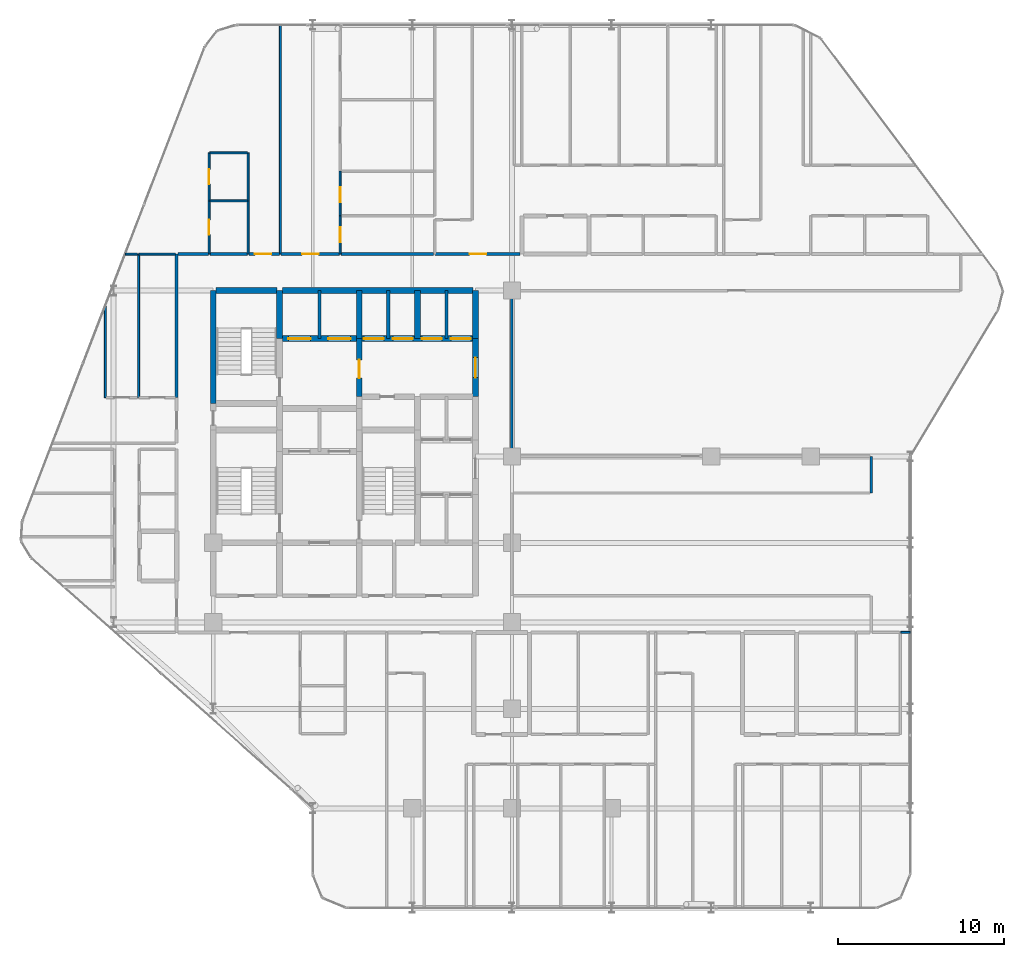
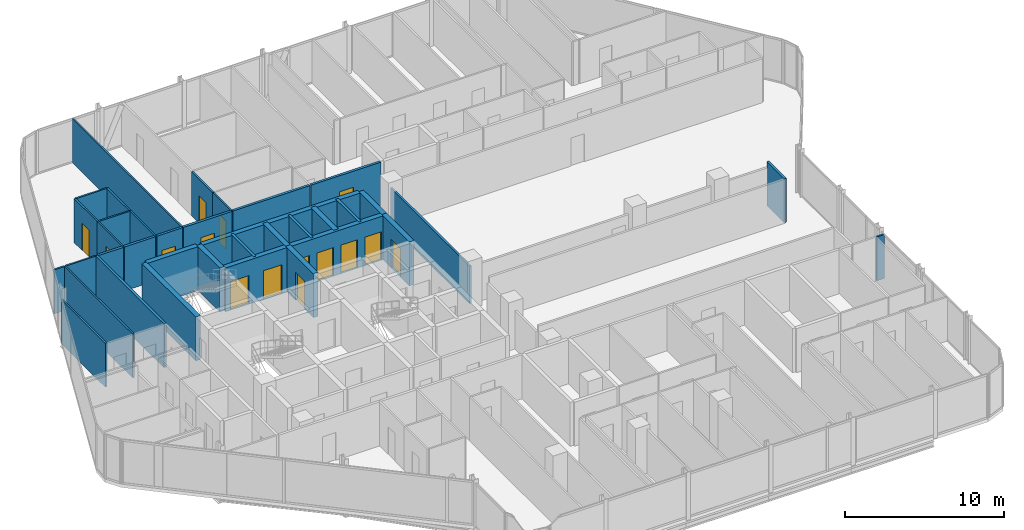
# One storey, part 26 of 29: 36 walls, 15 doors, 15 openings.
"""IFC4 building model written with IfcOpenShell, lengths in metres."""

from ifc_helpers import new_model, si_unit, direction, frame, frame_2d, origin, place, context, subcontext, project, spatial, rectangle, extrude, material, layer, layer_set, type_object, element, fill, save


model = new_model("IFC4")

# Units and contexts
model_context = context("Model", 3, precision=1e-05, world=origin(), true_north=direction((0.0, 1.0)))
body_context = subcontext(model_context, "Body", "Model", "MODEL_VIEW")
ifc_project = project(units=[si_unit("LENGTHUNIT", "METRE"), si_unit("AREAUNIT", "SQUARE_METRE"), si_unit("VOLUMEUNIT", "CUBIC_METRE"), si_unit("PLANEANGLEUNIT", "RADIAN"), si_unit("MASSUNIT", "GRAM", prefix="KILO")], contexts=[model_context])

# Site, building, storey
site_placement = place(None, origin())
site = spatial("IfcSite", under=ifc_project, at=site_placement, CompositionType="ELEMENT")
building_placement = place(site_placement, origin())
building = spatial("IfcBuilding", under=site, at=building_placement, Name="Keshet Zoharim Tower", CompositionType="ELEMENT")
storey_placement = place(building_placement, frame((0.0, 0.0, 98.300048828125)))
storey = spatial("IfcBuildingStorey", under=building, at=storey_placement, Name="L23", CompositionType="ELEMENT", Elevation=98.300048828125)

# Walls
ifc_material_1 = material(Name="Gypsum Plasterboard", Category="gypsum")
ifc_layer_1 = layer(ifc_material_1, 0.14990234375)
ifc_layer_set_1 = layer_set([ifc_layer_1], Name="Gypsum Plasterboard")
wall_type_1 = type_object("IfcWallType", Name="WL-CLIN-150", PredefinedType="STANDARD", material=ifc_layer_set_1)
wall_1_placement = place(storey_placement, frame((33.0, 27.909912109375, 0.0), z_axis=(0.0, 0.0, 1.0), x_axis=(0.0, 1.0, 0.0)))
element("IfcWall", 1, at=wall_1_placement, inside=storey, type_object=wall_type_1, Name="L23 Interior Wall 070", PredefinedType="STANDARD", context=body_context, shape_type="SweptSolid", body=[
    extrude(rectangle(XDim=9.97998046875, YDim=0.14990234375, at=frame_2d((4.989990234375, 0.0))), origin(), (0.0, 0.0, 1.0), 2.885009765625),
])
wall_2_placement = place(storey_placement, frame((54.64990234375, 25.699951171875, 0.0), z_axis=(0.0, 0.0, 1.0), x_axis=(0.0, 1.0, 0.0)))
element("IfcWall", 2, at=wall_2_placement, inside=storey, type_object=wall_type_1, Name="L23 Interior Wall 109", PredefinedType="STANDARD", context=body_context, shape_type="SweptSolid", body=[
    extrude(rectangle(XDim=2.199951171875, YDim=0.14990234375, at=frame_2d((1.10009765625, 0.0))), origin(), (0.0, 0.0, 1.0), 3.385009765625),
])
ifc_material_2 = material(Name="Concrete C60/75", Category="concrete")
ifc_layer_2 = layer(ifc_material_2, 0.35009765625)
ifc_layer_set_2 = layer_set([ifc_layer_2], Name="Concrete C60/75")
wall_type_2 = type_object("IfcWallType", Name="WL-CORE-350", PredefinedType="SHEAR", material=ifc_layer_set_2)
wall_3_placement = place(storey_placement, frame((15.0, 31.10009765625, 0.0), z_axis=(0.0, 0.0, 1.0), x_axis=(0.0, 1.0, 0.0)))
element("IfcWall", 3, at=wall_3_placement, inside=storey, type_object=wall_type_2, Name="L23 Core Shear Wall 018", PredefinedType="SHEAR", context=body_context, shape_type="SweptSolid", body=[
    extrude(rectangle(XDim=6.7998046875, YDim=0.35009765625, at=frame_2d((3.39990234375, 0.0))), origin(), (0.0, 0.0, 1.0), 3.385009765625),
])
wall_4_placement = place(storey_placement, frame((19.0, 35.0, 0.0), z_axis=(0.0, 0.0, 1.0), x_axis=(0.0, 1.0, 0.0)))
element("IfcWall", 4, at=wall_4_placement, inside=storey, type_object=wall_type_2, Name="L23 Core Shear Wall 025", PredefinedType="SHEAR", context=body_context, shape_type="SweptSolid", body=[
    extrude(rectangle(XDim=2.89990234375, YDim=0.35009765625, at=frame_2d((1.449951171875, 0.0))), origin(), (0.0, 0.0, 1.0), 3.385009765625),
])

# Wall, opening, door
wall_5_placement = place(storey_placement, frame((23.800048828125, 31.5, 0.0), z_axis=(0.0, 0.0, 1.0), x_axis=(0.0, 1.0, 0.0)))
wall_5 = element("IfcWall", 5, at=wall_5_placement, inside=storey, type_object=wall_type_2, Name="L23 Core Shear Wall 041", PredefinedType="SHEAR", context=body_context, shape_type="SweptSolid", body=[
    extrude(rectangle(XDim=3.5, YDim=0.35009765625, at=frame_2d((1.75, 0.0))), origin(), (0.0, 0.0, 1.0), 3.385009765625),
])
opening_1_placement = place(wall_5_placement, frame((1.126953125, 0.0, 0.0)))
opening_1 = element("IfcOpeningElement", 6, at=opening_1_placement, cuts=wall_5, Name="Opening D-F611", PredefinedType="OPENING", context=body_context, shape_type="SweptSolid", body=[
    extrude(rectangle(XDim=1.10009765625, YDim=2.14990234375, at=frame_2d((0.550048828125, 1.074951171875))), frame((0.0, 0.18505859375, 0.0), z_axis=(0.0, -1.0, 0.0), x_axis=(1.0, 0.0, 0.0)), (0.0, 0.0, 1.0), 0.3701171875),
])
ifc_material_3 = material(Name="Hardwood Timber", Category="wood")
door_type_1 = type_object("IfcDoorType", Name="DR-FD60-110", OperationType="NOTDEFINED", PredefinedType="DOOR", material=ifc_material_3)
door_1_placement = place(opening_1_placement, origin())
door_1 = element("IfcDoor", 7, at=door_1_placement, inside=storey, type_object=door_type_1, Name="L23 Firefighting Lobby Fire Door", OperationType="SINGLE_SWING_LEFT", OverallHeight=2.14990234375, OverallWidth=1.10009765625, PredefinedType="DOOR", context=body_context, shape_type="SweptSolid", body=[
    extrude(rectangle(XDim=1.10009765625, YDim=2.14990234375, at=frame_2d((0.550048828125, 1.074951171875))), frame((0.0, 0.02490234375, 0.0), z_axis=(0.0, -1.0, 0.0), x_axis=(1.0, 0.0, 0.0)), (0.0, 0.0, 1.0), 0.050048828125),
])
fill(opening_1, door_1)

# Walls
for number, where, z_axis, x_axis, name in (
    (8, (23.800048828125, 35.0, 0.0), (0.0, 0.0, 1.0), (0.0, 1.0, 0.0), "L23 Core Shear Wall 042"),
    (9, (27.300048828125, 35.0, 0.0), (0.0, 0.0, 1.0), (0.0, 1.0, 0.0), "L23 Core Shear Wall 051"),
):
    element("IfcWall", number, at=place(storey_placement, frame(where, z_axis=z_axis, x_axis=x_axis)), inside=storey, type_object=wall_type_2, Name=name, PredefinedType="SHEAR", context=body_context, shape_type="SweptSolid", body=[
        extrude(rectangle(XDim=2.89990234375, YDim=0.35009765625, at=frame_2d((1.449951171875, 0.0))), origin(), (0.0, 0.0, 1.0), 3.385009765625),
    ])

# Wall, opening, door
wall_6_placement = place(storey_placement, frame((30.800048828125, 31.5, 0.0), z_axis=(0.0, 0.0, 1.0), x_axis=(0.0, 1.0, 0.0)))
wall_6 = element("IfcWall", 10, at=wall_6_placement, inside=storey, type_object=wall_type_2, Name="L23 Core Shear Wall 067", PredefinedType="SHEAR", context=body_context, shape_type="SweptSolid", body=[
    extrude(rectangle(XDim=3.5, YDim=0.35009765625, at=frame_2d((1.75, 0.0))), origin(), (0.0, 0.0, 1.0), 3.385009765625),
])
opening_2_placement = place(wall_6_placement, frame((1.14990234375, 0.0, 0.0)))
opening_2 = element("IfcOpeningElement", 11, at=opening_2_placement, cuts=wall_6, Name="Opening D-F612", PredefinedType="OPENING", context=body_context, shape_type="SweptSolid", body=[
    extrude(rectangle(XDim=1.199951171875, YDim=2.199951171875, at=frame_2d((0.60009765625, 1.10009765625))), frame((0.0, 0.18505859375, 0.0), z_axis=(0.0, -1.0, 0.0), x_axis=(1.0, 0.0, 0.0)), (0.0, 0.0, 1.0), 0.3701171875),
])
door_type_2 = type_object("IfcDoorType", Name="DR-FD60-120", OperationType="NOTDEFINED", PredefinedType="DOOR", material=ifc_material_3)
door_2_placement = place(opening_2_placement, origin())
door_2 = element("IfcDoor", 12, at=door_2_placement, inside=storey, type_object=door_type_2, Name="L23 North Lift Lobby East Fire Door", OperationType="SINGLE_SWING_LEFT", OverallHeight=2.199951171875, OverallWidth=1.199951171875, PredefinedType="DOOR", context=body_context, shape_type="SweptSolid", body=[
    extrude(rectangle(XDim=1.199951171875, YDim=2.199951171875, at=frame_2d((0.60009765625, 1.10009765625))), frame((0.0, 0.02490234375, 0.0), z_axis=(0.0, -1.0, 0.0), x_axis=(1.0, 0.0, 0.0)), (0.0, 0.0, 1.0), 0.050048828125),
])
fill(opening_2, door_2)

# Wall
wall_7_placement = place(storey_placement, frame((30.800048828125, 35.0, 0.0), z_axis=(0.0, 0.0, 1.0), x_axis=(0.0, 1.0, 0.0)))
element("IfcWall", 13, at=wall_7_placement, inside=storey, type_object=wall_type_2, Name="L23 Core Shear Wall 068", PredefinedType="SHEAR", context=body_context, shape_type="SweptSolid", body=[
    extrude(rectangle(XDim=2.89990234375, YDim=0.35009765625, at=frame_2d((1.449951171875, 0.0))), origin(), (0.0, 0.0, 1.0), 3.385009765625),
])

# Wall, openings, doors
wall_8_placement = place(storey_placement, frame((19.159912109375, 35.0, 0.0), z_axis=(0.0, 0.0, 1.0), x_axis=(1.0, 0.0, 0.0)))
wall_8 = element("IfcWall", 14, at=wall_8_placement, inside=storey, type_object=wall_type_2, Name="L23 Core Shear Wall 176", PredefinedType="SHEAR", context=body_context, shape_type="SweptSolid", body=[
    extrude(rectangle(XDim=11.47998046875, YDim=0.35009765625, at=frame_2d((5.739990234375, 0.0))), origin(), (0.0, 0.0, 1.0), 3.385009765625),
])
opening_3_placement = place(wall_8_placement, frame((0.364990234375, 0.0, 0.0)))
opening_3 = element("IfcOpeningElement", 15, at=opening_3_placement, cuts=wall_8, Name="Opening LD-02", PredefinedType="OPENING", context=body_context, shape_type="SweptSolid", body=[
    extrude(rectangle(XDim=1.35009765625, YDim=2.199951171875, at=frame_2d((0.675048828125, 1.10009765625))), frame((0.0, 0.18505859375, 0.0), z_axis=(0.0, -1.0, 0.0), x_axis=(1.0, 0.0, 0.0)), (0.0, 0.0, 1.0), 0.3701171875),
])
opening_4_placement = place(wall_8_placement, frame((2.764892578125, 0.0, 0.0)))
opening_4 = element("IfcOpeningElement", 16, at=opening_4_placement, cuts=wall_8, Name="Opening LD-02", PredefinedType="OPENING", context=body_context, shape_type="SweptSolid", body=[
    extrude(rectangle(XDim=1.35009765625, YDim=2.199951171875, at=frame_2d((0.675048828125, 1.10009765625))), frame((0.0, 0.18505859375, 0.0), z_axis=(0.0, -1.0, 0.0), x_axis=(1.0, 0.0, 0.0)), (0.0, 0.0, 1.0), 0.3701171875),
])
opening_5_placement = place(wall_8_placement, frame((4.9150390625, 0.0, 0.0)))
opening_5 = element("IfcOpeningElement", 17, at=opening_5_placement, cuts=wall_8, Name="Opening LD-03", PredefinedType="OPENING", context=body_context, shape_type="SweptSolid", body=[
    extrude(rectangle(XDim=1.199951171875, YDim=2.199951171875, at=frame_2d((0.60009765625, 1.10009765625))), frame((0.0, 0.18505859375, 0.0), z_axis=(0.0, -1.0, 0.0), x_axis=(1.0, 0.0, 0.0)), (0.0, 0.0, 1.0), 0.3701171875),
])
opening_6_placement = place(wall_8_placement, frame((6.6650390625, 0.0, 0.0)))
opening_6 = element("IfcOpeningElement", 18, at=opening_6_placement, cuts=wall_8, Name="Opening LD-03", PredefinedType="OPENING", context=body_context, shape_type="SweptSolid", body=[
    extrude(rectangle(XDim=1.199951171875, YDim=2.199951171875, at=frame_2d((0.60009765625, 1.10009765625))), frame((0.0, 0.18505859375, 0.0), z_axis=(0.0, -1.0, 0.0), x_axis=(1.0, 0.0, 0.0)), (0.0, 0.0, 1.0), 0.3701171875),
])
opening_7_placement = place(wall_8_placement, frame((8.4150390625, 0.0, 0.0)))
opening_7 = element("IfcOpeningElement", 19, at=opening_7_placement, cuts=wall_8, Name="Opening LD-03", PredefinedType="OPENING", context=body_context, shape_type="SweptSolid", body=[
    extrude(rectangle(XDim=1.199951171875, YDim=2.199951171875, at=frame_2d((0.60009765625, 1.10009765625))), frame((0.0, 0.18505859375, 0.0), z_axis=(0.0, -1.0, 0.0), x_axis=(1.0, 0.0, 0.0)), (0.0, 0.0, 1.0), 0.3701171875),
])
opening_8_placement = place(wall_8_placement, frame((10.159912109375, 0.0, 0.0)))
opening_8 = element("IfcOpeningElement", 20, at=opening_8_placement, cuts=wall_8, Name="Opening LD-03", PredefinedType="OPENING", context=body_context, shape_type="SweptSolid", body=[
    extrude(rectangle(XDim=1.199951171875, YDim=2.199951171875, at=frame_2d((0.60009765625, 1.10009765625))), frame((0.0, 0.18505859375, 0.0), z_axis=(0.0, -1.0, 0.0), x_axis=(1.0, 0.0, 0.0)), (0.0, 0.0, 1.0), 0.3701171875),
])
ifc_material_4 = material(Name="Steel S355", Category="steel")
door_type_3 = type_object("IfcDoorType", Name="DR-LD02-135", OperationType="DOUBLE_DOOR_SLIDING", PredefinedType="DOOR", material=ifc_material_4)
door_3_placement = place(opening_3_placement, origin())
door_3 = element("IfcDoor", 21, at=door_3_placement, inside=storey, type_object=door_type_3, Name="L23 Firefighting Lift Landing Door FF-01", OperationType="DOUBLE_DOOR_SLIDING", OverallHeight=2.199951171875, OverallWidth=1.35009765625, PredefinedType="DOOR", context=body_context, shape_type="SweptSolid", body=[
    extrude(rectangle(XDim=1.35009765625, YDim=2.199951171875, at=frame_2d((0.675048828125, 1.10009765625))), frame((0.0, 0.02490234375, 0.0), z_axis=(0.0, -1.0, 0.0), x_axis=(1.0, 0.0, 0.0)), (0.0, 0.0, 1.0), 0.050048828125),
])
fill(opening_3, door_3)
door_4_placement = place(opening_4_placement, origin())
door_4 = element("IfcDoor", 22, at=door_4_placement, inside=storey, type_object=door_type_3, Name="L23 Firefighting Lift Landing Door FF-02", OperationType="DOUBLE_DOOR_SLIDING", OverallHeight=2.199951171875, OverallWidth=1.35009765625, PredefinedType="DOOR", context=body_context, shape_type="SweptSolid", body=[
    extrude(rectangle(XDim=1.35009765625, YDim=2.199951171875, at=frame_2d((0.675048828125, 1.10009765625))), frame((0.0, 0.02490234375, 0.0), z_axis=(0.0, -1.0, 0.0), x_axis=(1.0, 0.0, 0.0)), (0.0, 0.0, 1.0), 0.050048828125),
])
fill(opening_4, door_4)
door_type_4 = type_object("IfcDoorType", Name="DR-LD03-120", OperationType="DOUBLE_DOOR_SLIDING", PredefinedType="DOOR", material=ifc_material_4)
door_5_placement = place(opening_5_placement, origin())
door_5 = element("IfcDoor", 23, at=door_5_placement, inside=storey, type_object=door_type_4, Name="L23 Passenger Lift Landing Door LF-01", OperationType="DOUBLE_DOOR_SLIDING", OverallHeight=2.199951171875, OverallWidth=1.199951171875, PredefinedType="DOOR", context=body_context, shape_type="SweptSolid", body=[
    extrude(rectangle(XDim=1.199951171875, YDim=2.199951171875, at=frame_2d((0.60009765625, 1.10009765625))), frame((0.0, 0.02490234375, 0.0), z_axis=(0.0, -1.0, 0.0), x_axis=(1.0, 0.0, 0.0)), (0.0, 0.0, 1.0), 0.050048828125),
])
fill(opening_5, door_5)
door_6_placement = place(opening_6_placement, origin())
door_6 = element("IfcDoor", 24, at=door_6_placement, inside=storey, type_object=door_type_4, Name="L23 Passenger Lift Landing Door LF-02", OperationType="DOUBLE_DOOR_SLIDING", OverallHeight=2.199951171875, OverallWidth=1.199951171875, PredefinedType="DOOR", context=body_context, shape_type="SweptSolid", body=[
    extrude(rectangle(XDim=1.199951171875, YDim=2.199951171875, at=frame_2d((0.60009765625, 1.10009765625))), frame((0.0, 0.02490234375, 0.0), z_axis=(0.0, -1.0, 0.0), x_axis=(1.0, 0.0, 0.0)), (0.0, 0.0, 1.0), 0.050048828125),
])
fill(opening_6, door_6)
door_7_placement = place(opening_7_placement, origin())
door_7 = element("IfcDoor", 25, at=door_7_placement, inside=storey, type_object=door_type_4, Name="L23 Passenger Lift Landing Door LF-03", OperationType="DOUBLE_DOOR_SLIDING", OverallHeight=2.199951171875, OverallWidth=1.199951171875, PredefinedType="DOOR", context=body_context, shape_type="SweptSolid", body=[
    extrude(rectangle(XDim=1.199951171875, YDim=2.199951171875, at=frame_2d((0.60009765625, 1.10009765625))), frame((0.0, 0.02490234375, 0.0), z_axis=(0.0, -1.0, 0.0), x_axis=(1.0, 0.0, 0.0)), (0.0, 0.0, 1.0), 0.050048828125),
])
fill(opening_7, door_7)
door_8_placement = place(opening_8_placement, origin())
door_8 = element("IfcDoor", 26, at=door_8_placement, inside=storey, type_object=door_type_4, Name="L23 Passenger Lift Landing Door LF-04", OperationType="DOUBLE_DOOR_SLIDING", OverallHeight=2.199951171875, OverallWidth=1.199951171875, PredefinedType="DOOR", context=body_context, shape_type="SweptSolid", body=[
    extrude(rectangle(XDim=1.199951171875, YDim=2.199951171875, at=frame_2d((0.60009765625, 1.10009765625))), frame((0.0, 0.02490234375, 0.0), z_axis=(0.0, -1.0, 0.0), x_axis=(1.0, 0.0, 0.0)), (0.0, 0.0, 1.0), 0.050048828125),
])
fill(opening_8, door_8)

# Walls
wall_9_placement = place(storey_placement, frame((15.159912109375, 37.89990234375, 0.0), z_axis=(0.0, 0.0, 1.0), x_axis=(1.0, 0.0, 0.0)))
element("IfcWall", 27, at=wall_9_placement, inside=storey, type_object=wall_type_2, Name="L23 Core Shear Wall 177", PredefinedType="SHEAR", context=body_context, shape_type="SweptSolid", body=[
    extrude(rectangle(XDim=3.68017578125, YDim=0.35009765625, at=frame_2d((1.840087890625, 0.0))), origin(), (0.0, 0.0, 1.0), 3.385009765625),
])
wall_10_placement = place(storey_placement, frame((19.159912109375, 37.89990234375, 0.0), z_axis=(0.0, 0.0, 1.0), x_axis=(1.0, 0.0, 0.0)))
element("IfcWall", 28, at=wall_10_placement, inside=storey, type_object=wall_type_2, Name="L23 Core Shear Wall 178", PredefinedType="SHEAR", context=body_context, shape_type="SweptSolid", body=[
    extrude(rectangle(XDim=11.47998046875, YDim=0.35009765625, at=frame_2d((5.739990234375, 0.0))), origin(), (0.0, 0.0, 1.0), 3.385009765625),
])
ifc_layer_3 = layer(ifc_material_1, 0.179931640625)
ifc_layer_set_3 = layer_set([ifc_layer_3], Name="Gypsum Plasterboard")
wall_type_3 = type_object("IfcWallType", Name="WL-CORR-180", PredefinedType="STANDARD", material=ifc_layer_set_3)
wall_11_placement = place(storey_placement, frame((12.800048828125, 31.449951171875, 0.0), z_axis=(0.0, 0.0, 1.0), x_axis=(0.0, 1.0, 0.0)))
element("IfcWall", 29, at=wall_11_placement, inside=storey, type_object=wall_type_3, Name="L23 Interior Wall 012", PredefinedType="STANDARD", context=body_context, shape_type="SweptSolid", body=[
    extrude(rectangle(XDim=8.650146484375, YDim=0.179931640625, at=frame_2d((4.3251953125, 0.0))), origin(), (0.0, 0.0, 1.0), 3.385009765625),
])
wall_12_placement = place(storey_placement, frame((12.875, 40.10009765625, 0.0), z_axis=(0.0, 0.0, 1.0), x_axis=(1.0, 0.0, 0.0)))
element("IfcWall", 30, at=wall_12_placement, inside=storey, type_object=wall_type_3, Name="L23 Interior Wall 182", PredefinedType="STANDARD", context=body_context, shape_type="SweptSolid", body=[
    extrude(rectangle(XDim=1.830078125, YDim=0.179931640625, at=frame_2d((0.9150390625, 0.0))), origin(), (0.0, 0.0, 1.0), 3.385009765625),
])
wall_13_placement = place(storey_placement, frame((14.794921875, 40.10009765625, 0.0), z_axis=(0.0, 0.0, 1.0), x_axis=(1.0, 0.0, 0.0)))
element("IfcWall", 31, at=wall_13_placement, inside=storey, type_object=wall_type_3, Name="L23 Interior Wall 183", PredefinedType="STANDARD", context=body_context, shape_type="SweptSolid", body=[
    extrude(rectangle(XDim=2.260009765625, YDim=0.179931640625, at=frame_2d((1.1298828125, 0.0))), origin(), (0.0, 0.0, 1.0), 3.385009765625),
])

# Wall, opening, door
wall_14_placement = place(storey_placement, frame((17.14501953125, 40.10009765625, 0.0), z_axis=(0.0, 0.0, 1.0), x_axis=(1.0, 0.0, 0.0)))
wall_14 = element("IfcWall", 32, at=wall_14_placement, inside=storey, type_object=wall_type_3, Name="L23 Interior Wall 184", PredefinedType="STANDARD", context=body_context, shape_type="SweptSolid", body=[
    extrude(rectangle(XDim=1.85986328125, YDim=0.179931640625, at=frame_2d((0.929931640625, 0.0))), origin(), (0.0, 0.0, 1.0), 3.385009765625),
])
opening_9_placement = place(wall_14_placement, frame((0.35693359375, 0.0, 0.0)))
opening_9 = element("IfcOpeningElement", 33, at=opening_9_placement, cuts=wall_14, Name="Opening D-F310", PredefinedType="OPENING", context=body_context, shape_type="SweptSolid", body=[
    extrude(rectangle(XDim=1.0, YDim=2.14990234375, at=frame_2d((0.5, 1.074951171875))), frame((0.0, 0.10009765625, 0.0), z_axis=(0.0, -1.0, 0.0), x_axis=(1.0, 0.0, 0.0)), (0.0, 0.0, 1.0), 0.199951171875),
])
door_type_5 = type_object("IfcDoorType", Name="DR-FD30-100", OperationType="NOTDEFINED", PredefinedType="DOOR", material=ifc_material_3)
door_9_placement = place(opening_9_placement, origin())
door_9 = element("IfcDoor", 34, at=door_9_placement, inside=storey, type_object=door_type_5, Name="Apartment 2304 Entrance Door", OperationType="SINGLE_SWING_LEFT", OverallHeight=2.14990234375, OverallWidth=1.0, PredefinedType="DOOR", context=body_context, shape_type="SweptSolid", body=[
    extrude(rectangle(XDim=1.0, YDim=2.14990234375, at=frame_2d((0.5, 1.074951171875))), frame((0.0, 0.02490234375, 0.0), z_axis=(0.0, -1.0, 0.0), x_axis=(1.0, 0.0, 0.0)), (0.0, 0.0, 1.0), 0.050048828125),
])
fill(opening_9, door_9)

wall_15_placement = place(storey_placement, frame((19.094970703125, 40.10009765625, 0.0), z_axis=(0.0, 0.0, 1.0), x_axis=(1.0, 0.0, 0.0)))
wall_15 = element("IfcWall", 35, at=wall_15_placement, inside=storey, type_object=wall_type_3, Name="L23 Interior Wall 185", PredefinedType="STANDARD", context=body_context, shape_type="SweptSolid", body=[
    extrude(rectangle(XDim=3.510009765625, YDim=0.179931640625, at=frame_2d((1.7548828125, 0.0))), origin(), (0.0, 0.0, 1.0), 3.385009765625),
])
opening_10_placement = place(wall_15_placement, frame((1.2548828125, 0.0, 0.0)))
opening_10 = element("IfcOpeningElement", 36, at=opening_10_placement, cuts=wall_15, Name="Opening D-F310", PredefinedType="OPENING", context=body_context, shape_type="SweptSolid", body=[
    extrude(rectangle(XDim=1.0, YDim=2.14990234375, at=frame_2d((0.5, 1.074951171875))), frame((0.0, 0.10009765625, 0.0), z_axis=(0.0, -1.0, 0.0), x_axis=(1.0, 0.0, 0.0)), (0.0, 0.0, 1.0), 0.199951171875),
])
door_10_placement = place(opening_10_placement, origin())
door_10 = element("IfcDoor", 37, at=door_10_placement, inside=storey, type_object=door_type_5, Name="Apartment 2305 Entrance Door", OperationType="SINGLE_SWING_RIGHT", OverallHeight=2.14990234375, OverallWidth=1.0, PredefinedType="DOOR", context=body_context, shape_type="SweptSolid", body=[
    extrude(rectangle(XDim=1.0, YDim=2.14990234375, at=frame_2d((0.5, 1.074951171875))), frame((0.0, 0.02490234375, 0.0), z_axis=(0.0, -1.0, 0.0), x_axis=(1.0, 0.0, 0.0)), (0.0, 0.0, 1.0), 0.050048828125),
])
fill(opening_10, door_10)

# Wall
wall_16_placement = place(storey_placement, frame((22.695068359375, 40.10009765625, 0.0), z_axis=(0.0, 0.0, 1.0), x_axis=(1.0, 0.0, 0.0)))
element("IfcWall", 38, at=wall_16_placement, inside=storey, type_object=wall_type_3, Name="L23 Interior Wall 186", PredefinedType="STANDARD", context=body_context, shape_type="SweptSolid", body=[
    extrude(rectangle(XDim=5.58984375, YDim=0.179931640625, at=frame_2d((2.794921875, 0.0))), origin(), (0.0, 0.0, 1.0), 3.385009765625),
])

# Wall, opening, door
wall_17_placement = place(storey_placement, frame((28.375, 40.10009765625, 0.0), z_axis=(0.0, 0.0, 1.0), x_axis=(1.0, 0.0, 0.0)))
wall_17 = element("IfcWall", 39, at=wall_17_placement, inside=storey, type_object=wall_type_3, Name="L23 Interior Wall 187", PredefinedType="STANDARD", context=body_context, shape_type="SweptSolid", body=[
    extrude(rectangle(XDim=5.094970703125, YDim=0.179931640625, at=frame_2d((2.54736328125, 0.0))), origin(), (0.0, 0.0, 1.0), 3.385009765625),
])
opening_11_placement = place(wall_17_placement, frame((2.080078125, 0.0, 0.0)))
opening_11 = element("IfcOpeningElement", 40, at=opening_11_placement, cuts=wall_17, Name="Opening D-F310", PredefinedType="OPENING", context=body_context, shape_type="SweptSolid", body=[
    extrude(rectangle(XDim=1.0, YDim=2.14990234375, at=frame_2d((0.5, 1.074951171875))), frame((0.0, 0.10009765625, 0.0), z_axis=(0.0, -1.0, 0.0), x_axis=(1.0, 0.0, 0.0)), (0.0, 0.0, 1.0), 0.199951171875),
])
door_11_placement = place(opening_11_placement, origin())
door_11 = element("IfcDoor", 41, at=door_11_placement, inside=storey, type_object=door_type_5, Name="Apartment 2306 Entrance Door", OperationType="SINGLE_SWING_LEFT", OverallHeight=2.14990234375, OverallWidth=1.0, PredefinedType="DOOR", context=body_context, shape_type="SweptSolid", body=[
    extrude(rectangle(XDim=1.0, YDim=2.14990234375, at=frame_2d((0.5, 1.074951171875))), frame((0.0, 0.02490234375, 0.0), z_axis=(0.0, -1.0, 0.0), x_axis=(1.0, 0.0, 0.0)), (0.0, 0.0, 1.0), 0.050048828125),
])
fill(opening_11, door_11)

# Walls
ifc_material_5 = material(Name="Concrete C50/60", Category="concrete")
ifc_layer_4 = layer(ifc_material_5, 0.199951171875)
ifc_layer_set_4 = layer_set([ifc_layer_4], Name="Concrete C50/60")
wall_type_4 = type_object("IfcWallType", Name="WL-FIRE-200", PredefinedType="STANDARD", material=ifc_layer_set_4)
for number, where, z_axis, x_axis, name in (
    (42, (21.39990234375, 35.0, 0.0), (0.0, 0.0, 1.0), (0.0, 1.0, 0.0), "L23 Interior Wall 030"),
    (43, (25.550048828125, 35.0, 0.0), (0.0, 0.0, 1.0), (0.0, 1.0, 0.0), "L23 Interior Wall 045"),
    (44, (29.050048828125, 35.0, 0.0), (0.0, 0.0, 1.0), (0.0, 1.0, 0.0), "L23 Interior Wall 058"),
):
    element("IfcWall", number, at=place(storey_placement, frame(where, z_axis=z_axis, x_axis=x_axis)), inside=storey, type_object=wall_type_4, Name=name, PredefinedType="STANDARD", context=body_context, shape_type="SweptSolid", body=[
        extrude(rectangle(XDim=2.89990234375, YDim=0.199951171875, at=frame_2d((1.449951171875, 0.0))), origin(), (0.0, 0.0, 1.0), 3.385009765625),
    ])
ifc_layer_5 = layer(ifc_material_1, 0.1201171875)
ifc_layer_set_5 = layer_set([ifc_layer_5], Name="Gypsum Plasterboard")
wall_type_5 = type_object("IfcWallType", Name="WL-PART-120", PredefinedType="PARTITIONING", material=ifc_layer_set_5)
wall_18_placement = place(storey_placement, frame((8.5, 31.449951171875, 0.0), z_axis=(0.0, 0.0, 1.0), x_axis=(0.0, 1.0, 0.0)))
element("IfcWall", 45, at=wall_18_placement, inside=storey, type_object=wall_type_5, Name="L23 Interior Wall 001", PredefinedType="PARTITIONING", context=body_context, shape_type="SweptSolid", body=[
    extrude(rectangle(XDim=5.5400390625, YDim=0.1201171875, at=frame_2d((2.77001953125, 0.0))), origin(), (0.0, 0.0, 1.0), 3.385009765625),
])

# Wall, opening, door
wall_19_placement = place(storey_placement, frame((14.75, 40.10009765625, 0.0), z_axis=(0.0, 0.0, 1.0), x_axis=(0.0, 1.0, 0.0)))
wall_19 = element("IfcWall", 46, at=wall_19_placement, inside=storey, type_object=wall_type_5, Name="L23 Interior Wall 013", PredefinedType="PARTITIONING", context=body_context, shape_type="SweptSolid", body=[
    extrude(rectangle(XDim=3.199951171875, YDim=0.1201171875, at=frame_2d((1.60009765625, 0.0))), origin(), (0.0, 0.0, 1.0), 3.385009765625),
])
opening_12_placement = place(wall_19_placement, frame((1.14990234375, 0.0, 0.0)))
opening_12 = element("IfcOpeningElement", 47, at=opening_12_placement, cuts=wall_19, Name="Opening D-IN90", PredefinedType="OPENING", context=body_context, shape_type="SweptSolid", body=[
    extrude(rectangle(XDim=0.89990234375, YDim=2.14990234375, at=frame_2d((0.449951171875, 1.074951171875))), frame((0.0, 0.070068359375, 0.0), z_axis=(0.0, -1.0, 0.0), x_axis=(1.0, 0.0, 0.0)), (0.0, 0.0, 1.0), 0.14013671875),
])
door_type_6 = type_object("IfcDoorType", Name="DR-INT-090", OperationType="NOTDEFINED", PredefinedType="DOOR", material=ifc_material_3)
door_12_placement = place(opening_12_placement, origin())
door_12 = element("IfcDoor", 48, at=door_12_placement, inside=storey, type_object=door_type_6, Name="Apartment 2304 Kitchenette Door", OperationType="SINGLE_SWING_LEFT", OverallHeight=2.14990234375, OverallWidth=0.89990234375, PredefinedType="DOOR", context=body_context, shape_type="SweptSolid", body=[
    extrude(rectangle(XDim=0.89990234375, YDim=2.14990234375, at=frame_2d((0.449951171875, 1.074951171875))), frame((0.0, 0.02490234375, 0.0), z_axis=(0.0, -1.0, 0.0), x_axis=(1.0, 0.0, 0.0)), (0.0, 0.0, 1.0), 0.050048828125),
])
fill(opening_12, door_12)

# Walls
wall_20_placement = place(storey_placement, frame((17.10009765625, 40.10009765625, 0.0), z_axis=(0.0, 0.0, 1.0), x_axis=(0.0, 1.0, 0.0)))
element("IfcWall", 49, at=wall_20_placement, inside=storey, type_object=wall_type_5, Name="L23 Interior Wall 019", PredefinedType="PARTITIONING", context=body_context, shape_type="SweptSolid", body=[
    extrude(rectangle(XDim=3.199951171875, YDim=0.1201171875, at=frame_2d((1.60009765625, 0.0))), origin(), (0.0, 0.0, 1.0), 3.385009765625),
])
wall_21_placement = place(storey_placement, frame((19.050048828125, 40.10009765625, 0.0), z_axis=(0.0, 0.0, 1.0), x_axis=(0.0, 1.0, 0.0)))
element("IfcWall", 50, at=wall_21_placement, inside=storey, type_object=wall_type_5, Name="L23 Interior Wall 026", PredefinedType="PARTITIONING", context=body_context, shape_type="SweptSolid", body=[
    extrude(rectangle(XDim=13.789794921875, YDim=0.1201171875, at=frame_2d((6.89501953125, 0.0))), origin(), (0.0, 0.0, 1.0), 3.385009765625),
])

# Wall, opening, door
wall_22_placement = place(storey_placement, frame((22.64990234375, 40.10009765625, 0.0), z_axis=(0.0, 0.0, 1.0), x_axis=(0.0, 1.0, 0.0)))
wall_22 = element("IfcWall", 51, at=wall_22_placement, inside=storey, type_object=wall_type_5, Name="L23 Interior Wall 031", PredefinedType="PARTITIONING", context=body_context, shape_type="SweptSolid", body=[
    extrude(rectangle(XDim=2.2998046875, YDim=0.1201171875, at=frame_2d((1.14990234375, 0.0))), origin(), (0.0, 0.0, 1.0), 3.385009765625),
])
opening_13_placement = place(wall_22_placement, frame((0.699951171875, 0.0, 0.0)))
opening_13 = element("IfcOpeningElement", 52, at=opening_13_placement, cuts=wall_22, Name="Opening D-IN90", PredefinedType="OPENING", context=body_context, shape_type="SweptSolid", body=[
    extrude(rectangle(XDim=0.89990234375, YDim=2.14990234375, at=frame_2d((0.449951171875, 1.074951171875))), frame((0.0, 0.070068359375, 0.0), z_axis=(0.0, -1.0, 0.0), x_axis=(1.0, 0.0, 0.0)), (0.0, 0.0, 1.0), 0.14013671875),
])
door_13_placement = place(opening_13_placement, origin())
door_13 = element("IfcDoor", 53, at=door_13_placement, inside=storey, type_object=door_type_6, Name="Apartment 2305 Kitchen Door", OperationType="SINGLE_SWING_RIGHT", OverallHeight=2.14990234375, OverallWidth=0.89990234375, PredefinedType="DOOR", context=body_context, shape_type="SweptSolid", body=[
    extrude(rectangle(XDim=0.89990234375, YDim=2.14990234375, at=frame_2d((0.449951171875, 1.074951171875))), frame((0.0, 0.02490234375, 0.0), z_axis=(0.0, -1.0, 0.0), x_axis=(1.0, 0.0, 0.0)), (0.0, 0.0, 1.0), 0.050048828125),
])
fill(opening_13, door_13)

# Walls
wall_23_placement = place(storey_placement, frame((56.43505859375, 17.300048828125, 0.0), z_axis=(0.0, 0.0, 1.0), x_axis=(1.0, 0.0, 0.0)))
element("IfcWall", 54, at=wall_23_placement, inside=storey, type_object=wall_type_5, Name="L23 Interior Wall 141", PredefinedType="PARTITIONING", context=body_context, shape_type="SweptSolid", body=[
    extrude(rectangle(XDim=0.554931640625, YDim=0.1201171875, at=frame_2d((0.27734375, 0.0))), origin(), (0.0, 0.0, 1.0), 3.385009765625),
])
wall_24_placement = place(storey_placement, frame((9.701904296875, 40.10009765625, 0.0), z_axis=(0.0, 0.0, 1.0), x_axis=(1.0, 0.0, 0.0)))
element("IfcWall", 55, at=wall_24_placement, inside=storey, type_object=wall_type_5, Name="L23 Interior Wall 180", PredefinedType="PARTITIONING", context=body_context, shape_type="SweptSolid", body=[
    extrude(rectangle(XDim=0.731201171875, YDim=0.1201171875, at=frame_2d((0.36572265625, 0.0))), origin(), (0.0, 0.0, 1.0), 3.385009765625),
])
ifc_layer_6 = layer(ifc_material_1, 0.1201171875)
ifc_layer_set_6 = layer_set([ifc_layer_6], Name="Gypsum Plasterboard")
wall_type_6 = type_object("IfcWallType", Name="WL-WET-120", PredefinedType="PARTITIONING", material=ifc_layer_set_6)
wall_25_placement = place(storey_placement, frame((10.5, 31.449951171875, 0.0), z_axis=(0.0, 0.0, 1.0), x_axis=(0.0, 1.0, 0.0)))
element("IfcWall", 56, at=wall_25_placement, inside=storey, type_object=wall_type_6, Name="L23 Interior Wall 003", PredefinedType="PARTITIONING", context=body_context, shape_type="SweptSolid", body=[
    extrude(rectangle(XDim=8.650146484375, YDim=0.1201171875, at=frame_2d((4.3251953125, 0.0))), origin(), (0.0, 0.0, 1.0), 3.385009765625),
])

# Wall, opening, door
wall_26_placement = place(storey_placement, frame((14.75, 43.300048828125, 0.0), z_axis=(0.0, 0.0, 1.0), x_axis=(0.0, 1.0, 0.0)))
wall_26 = element("IfcWall", 57, at=wall_26_placement, inside=storey, type_object=wall_type_6, Name="L23 Interior Wall 014", PredefinedType="PARTITIONING", context=body_context, shape_type="SweptSolid", body=[
    extrude(rectangle(XDim=2.89990234375, YDim=0.1201171875, at=frame_2d((1.449951171875, 0.0))), origin(), (0.0, 0.0, 1.0), 3.385009765625),
])
opening_14_placement = place(wall_26_placement, frame((1.0, 0.0, 0.0)))
opening_14 = element("IfcOpeningElement", 58, at=opening_14_placement, cuts=wall_26, Name="Opening D-WT90", PredefinedType="OPENING", context=body_context, shape_type="SweptSolid", body=[
    extrude(rectangle(XDim=0.89990234375, YDim=2.10009765625, at=frame_2d((0.449951171875, 1.050048828125))), frame((0.0, 0.070068359375, 0.0), z_axis=(0.0, -1.0, 0.0), x_axis=(1.0, 0.0, 0.0)), (0.0, 0.0, 1.0), 0.14013671875),
])
door_type_7 = type_object("IfcDoorType", Name="DR-WET-090", OperationType="NOTDEFINED", PredefinedType="DOOR", material=ifc_material_3)
door_14_placement = place(opening_14_placement, origin())
door_14 = element("IfcDoor", 59, at=door_14_placement, inside=storey, type_object=door_type_7, Name="Apartment 2304 Bathroom Door", OperationType="SINGLE_SWING_RIGHT", OverallHeight=2.10009765625, OverallWidth=0.89990234375, PredefinedType="DOOR", context=body_context, shape_type="SweptSolid", body=[
    extrude(rectangle(XDim=0.89990234375, YDim=2.10009765625, at=frame_2d((0.449951171875, 1.050048828125))), frame((0.0, 0.02490234375, 0.0), z_axis=(0.0, -1.0, 0.0), x_axis=(1.0, 0.0, 0.0)), (0.0, 0.0, 1.0), 0.050048828125),
])
fill(opening_14, door_14)

# Wall
wall_27_placement = place(storey_placement, frame((17.10009765625, 43.300048828125, 0.0), z_axis=(0.0, 0.0, 1.0), x_axis=(0.0, 1.0, 0.0)))
element("IfcWall", 60, at=wall_27_placement, inside=storey, type_object=wall_type_6, Name="L23 Interior Wall 020", PredefinedType="PARTITIONING", context=body_context, shape_type="SweptSolid", body=[
    extrude(rectangle(XDim=2.89990234375, YDim=0.1201171875, at=frame_2d((1.449951171875, 0.0))), origin(), (0.0, 0.0, 1.0), 3.385009765625),
])

# Wall, opening, door
wall_28_placement = place(storey_placement, frame((22.64990234375, 42.39990234375, 0.0), z_axis=(0.0, 0.0, 1.0), x_axis=(0.0, 1.0, 0.0)))
wall_28 = element("IfcWall", 61, at=wall_28_placement, inside=storey, type_object=wall_type_6, Name="L23 Interior Wall 032", PredefinedType="PARTITIONING", context=body_context, shape_type="SweptSolid", body=[
    extrude(rectangle(XDim=2.7001953125, YDim=0.1201171875, at=frame_2d((1.35009765625, 0.0))), origin(), (0.0, 0.0, 1.0), 3.385009765625),
])
opening_15_placement = place(wall_28_placement, frame((0.827880859375, 0.0, 0.0)))
opening_15 = element("IfcOpeningElement", 62, at=opening_15_placement, cuts=wall_28, Name="Opening D-WT90", PredefinedType="OPENING", context=body_context, shape_type="SweptSolid", body=[
    extrude(rectangle(XDim=0.89990234375, YDim=2.10009765625, at=frame_2d((0.449951171875, 1.050048828125))), frame((0.0, 0.070068359375, 0.0), z_axis=(0.0, -1.0, 0.0), x_axis=(1.0, 0.0, 0.0)), (0.0, 0.0, 1.0), 0.14013671875),
])
door_15_placement = place(opening_15_placement, origin())
door_15 = element("IfcDoor", 63, at=door_15_placement, inside=storey, type_object=door_type_7, Name="Apartment 2305 Bathroom Door", OperationType="SINGLE_SWING_LEFT", OverallHeight=2.10009765625, OverallWidth=0.89990234375, PredefinedType="DOOR", context=body_context, shape_type="SweptSolid", body=[
    extrude(rectangle(XDim=0.89990234375, YDim=2.10009765625, at=frame_2d((0.449951171875, 1.050048828125))), frame((0.0, 0.02490234375, 0.0), z_axis=(0.0, -1.0, 0.0), x_axis=(1.0, 0.0, 0.0)), (0.0, 0.0, 1.0), 0.050048828125),
])
fill(opening_15, door_15)

# Walls
wall_29_placement = place(storey_placement, frame((10.52294921875, 40.10009765625, 0.0), z_axis=(0.0, 0.0, 1.0), x_axis=(1.0, 0.0, 0.0)))
element("IfcWall", 64, at=wall_29_placement, inside=storey, type_object=wall_type_6, Name="L23 Interior Wall 181", PredefinedType="PARTITIONING", context=body_context, shape_type="SweptSolid", body=[
    extrude(rectangle(XDim=2.2021484375, YDim=0.1201171875, at=frame_2d((1.10107421875, 0.0))), origin(), (0.0, 0.0, 1.0), 3.385009765625),
])
for number, where, z_axis, x_axis, name in (
    (65, (14.794921875, 43.300048828125, 0.0), (0.0, 0.0, 1.0), (1.0, 0.0, 0.0), "L23 Interior Wall 205"),
    (66, (14.794921875, 46.199951171875, 0.0), (0.0, 0.0, 1.0), (1.0, 0.0, 0.0), "L23 Interior Wall 212"),
):
    element("IfcWall", number, at=place(storey_placement, frame(where, z_axis=z_axis, x_axis=x_axis)), inside=storey, type_object=wall_type_6, Name=name, PredefinedType="PARTITIONING", context=body_context, shape_type="SweptSolid", body=[
        extrude(rectangle(XDim=2.260009765625, YDim=0.1201171875, at=frame_2d((1.1298828125, 0.0))), origin(), (0.0, 0.0, 1.0), 3.385009765625),
    ])

save(model, "model.ifc")
